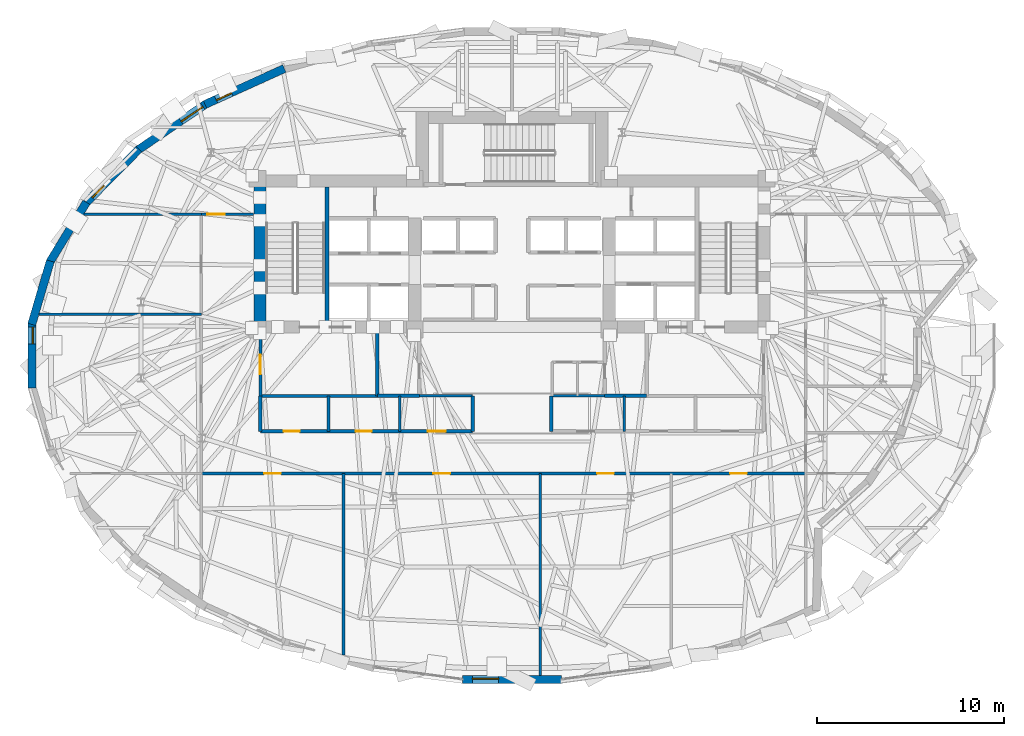
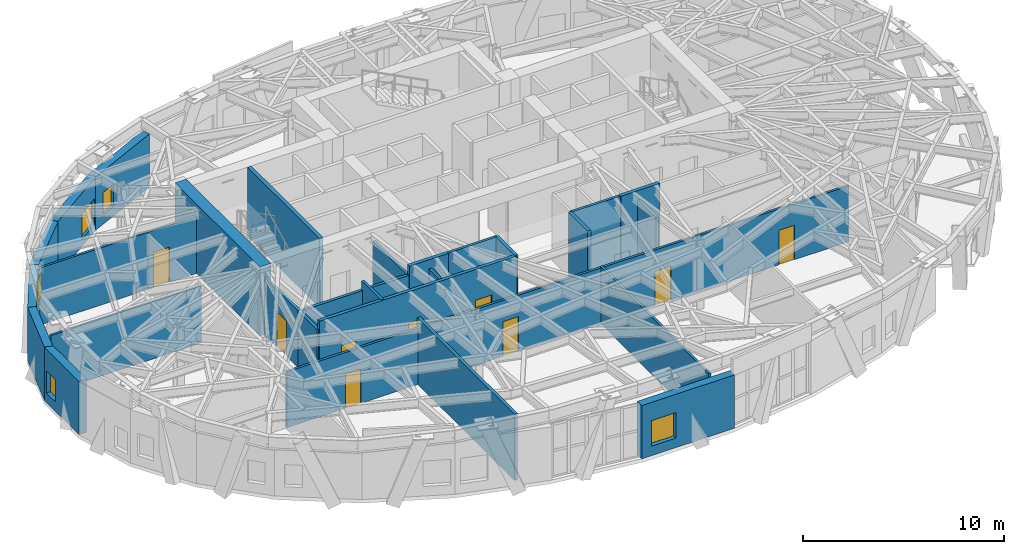
# One storey, part 8 of 16: 29 walls, 9 doors, 5 windows, 14 openings.
"""IFC4 building model written with IfcOpenShell, lengths in metres."""

from ifc_helpers import new_model, si_unit, direction, frame, frame_2d, origin, place, context, subcontext, project, spatial, rectangle, extrude, material, layer, layer_set, type_object, element, fill, save


model = new_model("IFC4")

# Units and contexts
model_context = context("Model", 3, precision=1e-05, world=origin(), true_north=direction((0.0, 1.0)))
body_context = subcontext(model_context, "Body", "Model", "MODEL_VIEW")
ifc_project = project(units=[si_unit("LENGTHUNIT", "METRE"), si_unit("AREAUNIT", "SQUARE_METRE"), si_unit("VOLUMEUNIT", "CUBIC_METRE"), si_unit("PLANEANGLEUNIT", "RADIAN"), si_unit("MASSUNIT", "GRAM", prefix="KILO")], contexts=[model_context])

# Site, building, storey
site_placement = place(None, origin())
site = spatial("IfcSite", under=ifc_project, at=site_placement, CompositionType="ELEMENT")
building_placement = place(site_placement, origin())
building = spatial("IfcBuilding", under=site, at=building_placement, Name="Keldmark Tower", CompositionType="ELEMENT")
storey_placement = place(building_placement, frame((0.0, 0.0, 139.60009765625)))
storey = spatial("IfcBuildingStorey", under=building, at=storey_placement, Name="L37", CompositionType="ELEMENT", Elevation=139.60009765625)

# Wall, openings, doors
ifc_material_1 = material(Name="Acoustic Double-Layer Gypsum Corridor Partition", Category="gypsum")
ifc_layer_1 = layer(ifc_material_1, 0.139892578125)
ifc_layer_set_1 = layer_set([ifc_layer_1], Name="Acoustic Double-Layer Gypsum Corridor Partition")
wall_type_1 = type_object("IfcWallType", Name="Acoustic Corridor Partition 140 mm", PredefinedType="PARTITIONING", material=ifc_layer_set_1)
wall_1_placement = place(storey_placement, frame((-16.60009765625, -6.300048828125, 0.0), z_axis=(0.0, 0.0, 1.0), x_axis=(1.0, 0.0, 0.0)))
wall_1 = element("IfcWall", 1, at=wall_1_placement, inside=storey, type_object=wall_type_1, Name="L37 Acoustic Corridor Partition 140 mm COR-S", PredefinedType="PARTITIONING", context=body_context, shape_type="SweptSolid", body=[
    extrude(rectangle(XDim=32.300048828125, YDim=0.139892578125, at=frame_2d((16.14990234375, 0.0))), origin(), (0.0, 0.0, 1.0), 3.39794921875),
])
opening_1_placement = place(wall_1_placement, frame((3.35009765625, 0.0, 0.0)))
opening_1 = element("IfcOpeningElement", 2, at=opening_1_placement, cuts=wall_1, Name="Opening D-IN090", PredefinedType="OPENING", context=body_context, shape_type="SweptSolid", body=[
    extrude(rectangle(XDim=0.89990234375, YDim=2.10009765625, at=frame_2d((0.449951171875, 1.050048828125))), frame((0.0, 0.079833984375, 0.0), z_axis=(0.0, -1.0, 0.0), x_axis=(1.0, 0.0, 0.0)), (0.0, 0.0, 1.0), 0.159912109375),
])
opening_2_placement = place(wall_1_placement, frame((12.39990234375, 0.0, 0.0)))
opening_2 = element("IfcOpeningElement", 3, at=opening_2_placement, cuts=wall_1, Name="Opening D-IN090", PredefinedType="OPENING", context=body_context, shape_type="SweptSolid", body=[
    extrude(rectangle(XDim=0.89990234375, YDim=2.10009765625, at=frame_2d((0.449951171875, 1.050048828125))), frame((0.0, 0.079833984375, 0.0), z_axis=(0.0, -1.0, 0.0), x_axis=(1.0, 0.0, 0.0)), (0.0, 0.0, 1.0), 0.159912109375),
])
opening_3_placement = place(wall_1_placement, frame((21.14990234375, 0.0, 0.0)))
opening_3 = element("IfcOpeningElement", 4, at=opening_3_placement, cuts=wall_1, Name="Opening D-IN090", PredefinedType="OPENING", context=body_context, shape_type="SweptSolid", body=[
    extrude(rectangle(XDim=0.89990234375, YDim=2.10009765625, at=frame_2d((0.449951171875, 1.050048828125))), frame((0.0, 0.079833984375, 0.0), z_axis=(0.0, -1.0, 0.0), x_axis=(1.0, 0.0, 0.0)), (0.0, 0.0, 1.0), 0.159912109375),
])
opening_4_placement = place(wall_1_placement, frame((28.25, 0.0, 0.0)))
opening_4 = element("IfcOpeningElement", 5, at=opening_4_placement, cuts=wall_1, Name="Opening D-IN090", PredefinedType="OPENING", context=body_context, shape_type="SweptSolid", body=[
    extrude(rectangle(XDim=0.89990234375, YDim=2.10009765625, at=frame_2d((0.449951171875, 1.050048828125))), frame((0.0, 0.079833984375, 0.0), z_axis=(0.0, -1.0, 0.0), x_axis=(1.0, 0.0, 0.0)), (0.0, 0.0, 1.0), 0.159912109375),
])
ifc_material_2 = material(Name="Stained American White Oak Veneer", Category="wood")
door_type_1 = type_object("IfcDoorType", Name="Interior Door 900x2100", OperationType="NOTDEFINED", PredefinedType="DOOR", material=ifc_material_2)
door_1_placement = place(opening_1_placement, origin())
door_1 = element("IfcDoor", 6, at=door_1_placement, inside=storey, type_object=door_type_1, Name="L37 Interior Door 900x2100 D-SR-1-L37", OperationType="SINGLE_SWING_LEFT", OverallHeight=2.10009765625, OverallWidth=0.89990234375, PredefinedType="DOOR", context=body_context, shape_type="SweptSolid", body=[
    extrude(rectangle(XDim=0.89990234375, YDim=2.10009765625, at=frame_2d((0.449951171875, 1.050048828125))), frame((0.0, 0.02490234375, 0.0), z_axis=(0.0, -1.0, 0.0), x_axis=(1.0, 0.0, 0.0)), (0.0, 0.0, 1.0), 0.050048828125),
])
fill(opening_1, door_1)
door_2_placement = place(opening_2_placement, origin())
door_2 = element("IfcDoor", 7, at=door_2_placement, inside=storey, type_object=door_type_1, Name="L37 Interior Door 900x2100 D-SR-2-L37", OperationType="SINGLE_SWING_RIGHT", OverallHeight=2.10009765625, OverallWidth=0.89990234375, PredefinedType="DOOR", context=body_context, shape_type="SweptSolid", body=[
    extrude(rectangle(XDim=0.89990234375, YDim=2.10009765625, at=frame_2d((0.449951171875, 1.050048828125))), frame((0.0, 0.02490234375, 0.0), z_axis=(0.0, -1.0, 0.0), x_axis=(1.0, 0.0, 0.0)), (0.0, 0.0, 1.0), 0.050048828125),
])
fill(opening_2, door_2)
door_3_placement = place(opening_3_placement, origin())
door_3 = element("IfcDoor", 8, at=door_3_placement, inside=storey, type_object=door_type_1, Name="L37 Interior Door 900x2100 D-SR-3-L37", OperationType="SINGLE_SWING_LEFT", OverallHeight=2.10009765625, OverallWidth=0.89990234375, PredefinedType="DOOR", context=body_context, shape_type="SweptSolid", body=[
    extrude(rectangle(XDim=0.89990234375, YDim=2.10009765625, at=frame_2d((0.449951171875, 1.050048828125))), frame((0.0, 0.02490234375, 0.0), z_axis=(0.0, -1.0, 0.0), x_axis=(1.0, 0.0, 0.0)), (0.0, 0.0, 1.0), 0.050048828125),
])
fill(opening_3, door_3)
door_4_placement = place(opening_4_placement, origin())
door_4 = element("IfcDoor", 9, at=door_4_placement, inside=storey, type_object=door_type_1, Name="L37 Interior Door 900x2100 D-SR-4-L37", OperationType="SINGLE_SWING_RIGHT", OverallHeight=2.10009765625, OverallWidth=0.89990234375, PredefinedType="DOOR", context=body_context, shape_type="SweptSolid", body=[
    extrude(rectangle(XDim=0.89990234375, YDim=2.10009765625, at=frame_2d((0.449951171875, 1.050048828125))), frame((0.0, 0.02490234375, 0.0), z_axis=(0.0, -1.0, 0.0), x_axis=(1.0, 0.0, 0.0)), (0.0, 0.0, 1.0), 0.050048828125),
])
fill(opening_4, door_4)

# Wall, opening, door
wall_2_placement = place(storey_placement, frame((-16.60009765625, 7.550048828125, 0.0), z_axis=(0.0, 0.0, 1.0), x_axis=(1.0, 0.0, 0.0)))
wall_2 = element("IfcWall", 10, at=wall_2_placement, inside=storey, type_object=wall_type_1, Name="L37 Acoustic Corridor Partition 140 mm COR-WN-CAP", PredefinedType="PARTITIONING", context=body_context, shape_type="SweptSolid", body=[
    extrude(rectangle(XDim=2.800048828125, YDim=0.139892578125, at=frame_2d((1.39990234375, 0.0))), origin(), (0.0, 0.0, 1.0), 3.472900390625),
])
opening_5_placement = place(wall_2_placement, frame((0.320068359375, 0.0, 0.0)))
opening_5 = element("IfcOpeningElement", 11, at=opening_5_placement, cuts=wall_2, Name="Opening D-EX092", PredefinedType="OPENING", context=body_context, shape_type="SweptSolid", body=[
    extrude(rectangle(XDim=0.919921875, YDim=2.14990234375, at=frame_2d((0.4599609375, 1.074951171875))), frame((0.0, 0.079833984375, 0.0), z_axis=(0.0, -1.0, 0.0), x_axis=(1.0, 0.0, 0.0)), (0.0, 0.0, 1.0), 0.159912109375),
])
ifc_material_3 = material(Name="Flush American Ash Executive Office Door", Category="wood")
door_type_2 = type_object("IfcDoorType", Name="Executive Office Door 920x2150", OperationType="NOTDEFINED", PredefinedType="DOOR", material=ifc_material_3)
door_5_placement = place(opening_5_placement, origin())
door_5 = element("IfcDoor", 12, at=door_5_placement, inside=storey, type_object=door_type_2, Name="L37 Executive Office Door 920x2150 D-NRNW-L37", OperationType="SINGLE_SWING_LEFT", OverallHeight=2.14990234375, OverallWidth=0.919921875, PredefinedType="DOOR", context=body_context, shape_type="SweptSolid", body=[
    extrude(rectangle(XDim=0.919921875, YDim=2.14990234375, at=frame_2d((0.4599609375, 1.074951171875))), frame((0.0, 0.02490234375, 0.0), z_axis=(0.0, -1.0, 0.0), x_axis=(1.0, 0.0, 0.0)), (0.0, 0.0, 1.0), 0.050048828125),
])
fill(opening_5, door_5)

# Wall
ifc_material_4 = material(Name="STC-58 Insulated Tenant Demising Gypsum Partition", Category="gypsum")
ifc_layer_2 = layer(ifc_material_4, 0.175048828125)
ifc_layer_set_2 = layer_set([ifc_layer_2], Name="STC-58 Insulated Tenant Demising Gypsum Partition")
wall_type_2 = type_object("IfcWallType", Name="Demising Suite Partition 175 mm", PredefinedType="PARTITIONING", material=ifc_layer_set_2)
wall_3_placement = place(storey_placement, frame((-9.0, -15.98828125, 0.0), z_axis=(0.0, 0.0, 1.0), x_axis=(0.0, 1.0, 0.0)))
element("IfcWall", 13, at=wall_3_placement, inside=storey, type_object=wall_type_2, Name="L37 Demising Suite Partition 175 mm S-DIV-1", PredefinedType="PARTITIONING", context=body_context, shape_type="SweptSolid", body=[
    extrude(rectangle(XDim=9.688232421875, YDim=0.175048828125, at=frame_2d((4.84423828125, 0.0))), origin(), (0.0, 0.0, 1.0), 4.02001953125),
])

# Wall, openings, doors
ifc_material_5 = material(Name="Heavy Acoustic Plumbing Chase Gypsum Assembly", Category="gypsum")
ifc_layer_3 = layer(ifc_material_5, 0.18994140625)
ifc_layer_set_3 = layer_set([ifc_layer_3], Name="Heavy Acoustic Plumbing Chase Gypsum Assembly")
wall_type_3 = type_object("IfcWallType", Name="Heavy Wet Wall 190 mm", PredefinedType="PLUMBINGWALL", material=ifc_layer_set_3)
wall_4_placement = place(storey_placement, frame((-13.449951171875, -4.050048828125, 0.0), z_axis=(0.0, 0.0, 1.0), x_axis=(1.0, 0.0, 0.0)))
wall_4 = element("IfcWall", 14, at=wall_4_placement, inside=storey, type_object=wall_type_3, Name="L37 Heavy Wet Wall 190 mm SPK-W-S", PredefinedType="PLUMBINGWALL", context=body_context, shape_type="SweptSolid", body=[
    extrude(rectangle(XDim=11.349853515625, YDim=0.18994140625, at=frame_2d((5.6748046875, 0.0))), origin(), (0.0, 0.0, 1.0), 4.02001953125),
])
opening_6_placement = place(wall_4_placement, frame((1.25, 0.0, 0.0)))
opening_6 = element("IfcOpeningElement", 15, at=opening_6_placement, cuts=wall_4, Name="Opening D-WC085", PredefinedType="OPENING", context=body_context, shape_type="SweptSolid", body=[
    extrude(rectangle(XDim=0.85009765625, YDim=2.10009765625, at=frame_2d((0.425048828125, 1.050048828125))), frame((0.0, 0.10498046875, 0.0), z_axis=(0.0, -1.0, 0.0), x_axis=(1.0, 0.0, 0.0)), (0.0, 0.0, 1.0), 0.2099609375),
])
opening_7_placement = place(wall_4_placement, frame((5.10009765625, 0.0, 0.0)))
opening_7 = element("IfcOpeningElement", 16, at=opening_7_placement, cuts=wall_4, Name="Opening D-WC085", PredefinedType="OPENING", context=body_context, shape_type="SweptSolid", body=[
    extrude(rectangle(XDim=0.85009765625, YDim=2.10009765625, at=frame_2d((0.425048828125, 1.050048828125))), frame((0.0, 0.10498046875, 0.0), z_axis=(0.0, -1.0, 0.0), x_axis=(1.0, 0.0, 0.0)), (0.0, 0.0, 1.0), 0.2099609375),
])
opening_8_placement = place(wall_4_placement, frame((8.949951171875, 0.0, 0.0)))
opening_8 = element("IfcOpeningElement", 17, at=opening_8_placement, cuts=wall_4, Name="Opening D-AWC95", PredefinedType="OPENING", context=body_context, shape_type="SweptSolid", body=[
    extrude(rectangle(XDim=0.949951171875, YDim=2.14990234375, at=frame_2d((0.47509765625, 1.074951171875))), frame((0.0, 0.10498046875, 0.0), z_axis=(0.0, -1.0, 0.0), x_axis=(1.0, 0.0, 0.0)), (0.0, 0.0, 1.0), 0.2099609375),
])
ifc_material_6 = material(Name="Painted Solid-Core Architectural Wood", Category="wood")
door_type_3 = type_object("IfcDoorType", Name="Accessible WC Door 950x2150", OperationType="NOTDEFINED", PredefinedType="DOOR", material=ifc_material_6)
door_6_placement = place(opening_8_placement, origin())
door_6 = element("IfcDoor", 18, at=door_6_placement, inside=storey, type_object=door_type_3, Name="L37 Accessible WC Door 950x2150 D-SPKW3-L37", OperationType="SINGLE_SWING_LEFT", OverallHeight=2.14990234375, OverallWidth=0.949951171875, PredefinedType="DOOR", context=body_context, shape_type="SweptSolid", body=[
    extrude(rectangle(XDim=0.949951171875, YDim=2.14990234375, at=frame_2d((0.47509765625, 1.074951171875))), frame((0.0, 0.02490234375, 0.0), z_axis=(0.0, -1.0, 0.0), x_axis=(1.0, 0.0, 0.0)), (0.0, 0.0, 1.0), 0.050048828125),
])
fill(opening_8, door_6)
ifc_material_7 = material(Name="Moisture-Sealed Painted Wood", Category="wood")
door_type_4 = type_object("IfcDoorType", Name="WC Door 850x2100", OperationType="NOTDEFINED", PredefinedType="DOOR", material=ifc_material_7)
door_7_placement = place(opening_6_placement, origin())
door_7 = element("IfcDoor", 19, at=door_7_placement, inside=storey, type_object=door_type_4, Name="L37 WC Door 850x2100 D-SPKW1-L37", OperationType="SINGLE_SWING_LEFT", OverallHeight=2.10009765625, OverallWidth=0.85009765625, PredefinedType="DOOR", context=body_context, shape_type="SweptSolid", body=[
    extrude(rectangle(XDim=0.85009765625, YDim=2.10009765625, at=frame_2d((0.425048828125, 1.050048828125))), frame((0.0, 0.02490234375, 0.0), z_axis=(0.0, -1.0, 0.0), x_axis=(1.0, 0.0, 0.0)), (0.0, 0.0, 1.0), 0.050048828125),
])
fill(opening_6, door_7)
door_8_placement = place(opening_7_placement, origin())
door_8 = element("IfcDoor", 20, at=door_8_placement, inside=storey, type_object=door_type_4, Name="L37 WC Door 850x2100 D-SPKW2-L37", OperationType="SINGLE_SWING_RIGHT", OverallHeight=2.10009765625, OverallWidth=0.85009765625, PredefinedType="DOOR", context=body_context, shape_type="SweptSolid", body=[
    extrude(rectangle(XDim=0.85009765625, YDim=2.10009765625, at=frame_2d((0.425048828125, 1.050048828125))), frame((0.0, 0.02490234375, 0.0), z_axis=(0.0, -1.0, 0.0), x_axis=(1.0, 0.0, 0.0)), (0.0, 0.0, 1.0), 0.050048828125),
])
fill(opening_7, door_8)

# Walls
wall_5_placement = place(storey_placement, frame((-13.449951171875, -4.050048828125, 0.0), z_axis=(0.0, 0.0, 1.0), x_axis=(0.0, 1.0, 0.0)))
element("IfcWall", 21, at=wall_5_placement, inside=storey, type_object=wall_type_3, Name="L37 Heavy Wet Wall 190 mm SPK-W-W", PredefinedType="PLUMBINGWALL", context=body_context, shape_type="SweptSolid", body=[
    extrude(rectangle(XDim=1.900146484375, YDim=0.18994140625, at=frame_2d((0.9501953125, 0.0))), origin(), (0.0, 0.0, 1.0), 3.472900390625),
])
for number, where, z_axis, x_axis, name in (
    (22, (-2.10009765625, -4.050048828125, 0.0), (0.0, 0.0, 1.0), (0.0, 1.0, 0.0), "L37 Heavy Wet Wall 190 mm SPK-W-E"),
    (23, (2.10009765625, -4.050048828125, 0.0), (0.0, 0.0, 1.0), (0.0, 1.0, 0.0), "L37 Heavy Wet Wall 190 mm SPK-E-W"),
):
    element("IfcWall", number, at=place(storey_placement, frame(where, z_axis=z_axis, x_axis=x_axis)), inside=storey, type_object=wall_type_3, Name=name, PredefinedType="PLUMBINGWALL", context=body_context, shape_type="SweptSolid", body=[
        extrude(rectangle(XDim=1.900146484375, YDim=0.18994140625, at=frame_2d((0.9501953125, 0.0))), origin(), (0.0, 0.0, 1.0), 4.02001953125),
    ])
ifc_material_8 = material(Name="Acoustic Gypsum Board Interior Partition", Category="gypsum")
ifc_layer_4 = layer(ifc_material_8, 0.1298828125)
ifc_layer_set_4 = layer_set([ifc_layer_4], Name="Acoustic Gypsum Board Interior Partition")
wall_type_4 = type_object("IfcWallType", Name="Interior Partition 130 mm", PredefinedType="PARTITIONING", material=ifc_layer_set_4)
wall_6_placement = place(storey_placement, frame((1.5, -17.087158203125, 0.0), z_axis=(0.0, 0.0, 1.0), x_axis=(0.0, 1.0, 0.0)))
element("IfcWall", 24, at=wall_6_placement, inside=storey, type_object=wall_type_4, Name="L37 Interior Partition 130 mm S-DIV-2", PredefinedType="PARTITIONING", context=body_context, shape_type="SweptSolid", body=[
    extrude(rectangle(XDim=10.787109375, YDim=0.1298828125, at=frame_2d((5.3935546875, 0.0))), origin(), (0.0, 0.0, 1.0), 3.472900390625),
])
wall_7_placement = place(storey_placement, frame((-22.866943359375, 7.550048828125, 0.0), z_axis=(0.0, 0.0, 1.0), x_axis=(1.0, 0.0, 0.0)))
element("IfcWall", 25, at=wall_7_placement, inside=storey, type_object=wall_type_4, Name="L37 Interior Partition 130 mm W-CAP-N", PredefinedType="PARTITIONING", context=body_context, shape_type="SweptSolid", body=[
    extrude(rectangle(XDim=6.266845703125, YDim=0.1298828125, at=frame_2d((3.13330078125, 0.0))), origin(), (0.0, 0.0, 1.0), 3.472900390625),
])
wall_8_placement = place(storey_placement, frame((-25.26904296875, 2.199951171875, 0.0), z_axis=(0.0, 0.0, 1.0), x_axis=(1.0, 0.0, 0.0)))
element("IfcWall", 26, at=wall_8_placement, inside=storey, type_object=wall_type_4, Name="L37 Interior Partition 130 mm W-DIV-1", PredefinedType="PARTITIONING", context=body_context, shape_type="SweptSolid", body=[
    extrude(rectangle(XDim=8.6689453125, YDim=0.1298828125, at=frame_2d((4.33447265625, 0.0))), origin(), (0.0, 0.0, 1.0), 3.472900390625),
])
ifc_material_9 = material(Name="Type X Fire-Rated Gypsum Partition Assembly", Category="gypsum")
ifc_layer_5 = layer(ifc_material_9, 0.1650390625)
ifc_layer_set_5 = layer_set([ifc_layer_5], Name="Type X Fire-Rated Gypsum Partition Assembly")
wall_type_5 = type_object("IfcWallType", Name="Rated Partition 165 mm", PredefinedType="PARTITIONING", material=ifc_layer_set_5)
wall_9_placement = place(storey_placement, frame((-13.449951171875, -2.14990234375, 0.0), z_axis=(0.0, 0.0, 1.0), x_axis=(1.0, 0.0, 0.0)))
element("IfcWall", 27, at=wall_9_placement, inside=storey, type_object=wall_type_5, Name="L37 Rated Partition 165 mm FSAE-W-S", PredefinedType="PARTITIONING", context=body_context, shape_type="SweptSolid", body=[
    extrude(rectangle(XDim=6.25, YDim=0.1650390625, at=frame_2d((3.125, 0.0))), origin(), (0.0, 0.0, 1.0), 3.472900390625),
])

# Wall, opening, door
wall_10_placement = place(storey_placement, frame((-13.449951171875, -2.14990234375, 0.0), z_axis=(0.0, 0.0, 1.0), x_axis=(0.0, 1.0, 0.0)))
wall_10 = element("IfcWall", 28, at=wall_10_placement, inside=storey, type_object=wall_type_5, Name="L37 Rated Partition 165 mm FSAE-W-W", PredefinedType="PARTITIONING", context=body_context, shape_type="SweptSolid", body=[
    extrude(rectangle(XDim=3.39990234375, YDim=0.1650390625, at=frame_2d((1.699951171875, 0.0))), origin(), (0.0, 0.0, 1.0), 3.472900390625),
])
opening_9_placement = place(wall_10_placement, frame((1.14990234375, 0.0, 0.0)))
opening_9 = element("IfcOpeningElement", 29, at=opening_9_placement, cuts=wall_10, Name="Opening D-FL105", PredefinedType="OPENING", context=body_context, shape_type="SweptSolid", body=[
    extrude(rectangle(XDim=1.050048828125, YDim=2.14990234375, at=frame_2d((0.52490234375, 1.074951171875))), frame((0.0, 0.092529296875, 0.0), z_axis=(0.0, -1.0, 0.0), x_axis=(1.0, 0.0, 0.0)), (0.0, 0.0, 1.0), 0.18505859375),
])
ifc_material_10 = material(Name="Fire-Rated Mineral-Core Door and Vision Lite", Category="metal")
door_type_5 = type_object("IfcDoorType", Name="Fire Lobby Door 1050x2150", OperationType="NOTDEFINED", PredefinedType="DOOR", material=ifc_material_10)
door_9_placement = place(opening_9_placement, origin())
door_9 = element("IfcDoor", 30, at=door_9_placement, inside=storey, type_object=door_type_5, Name="L37 Fire Lobby Door 1050x2150 D-FSAEW-OUT-L37", OperationType="SINGLE_SWING_LEFT", OverallHeight=2.14990234375, OverallWidth=1.050048828125, PredefinedType="DOOR", context=body_context, shape_type="SweptSolid", body=[
    extrude(rectangle(XDim=1.050048828125, YDim=2.14990234375, at=frame_2d((0.52490234375, 1.074951171875))), frame((0.0, 0.02490234375, 0.0), z_axis=(0.0, -1.0, 0.0), x_axis=(1.0, 0.0, 0.0)), (0.0, 0.0, 1.0), 0.050048828125),
])
fill(opening_9, door_9)

# Walls
wall_11_placement = place(storey_placement, frame((-7.199951171875, -2.14990234375, 0.0), z_axis=(0.0, 0.0, 1.0), x_axis=(0.0, 1.0, 0.0)))
element("IfcWall", 31, at=wall_11_placement, inside=storey, type_object=wall_type_5, Name="L37 Rated Partition 165 mm FSAE-W-E", PredefinedType="PARTITIONING", context=body_context, shape_type="SweptSolid", body=[
    extrude(rectangle(XDim=3.39990234375, YDim=0.1650390625, at=frame_2d((1.699951171875, 0.0))), origin(), (0.0, 0.0, 1.0), 3.472900390625),
])
ifc_material_11 = material(Name="Fire-Resistant Type X Gypsum Shaftliner Coreboard", Category="gypsum")
ifc_layer_6 = layer(ifc_material_11, 0.199951171875)
ifc_layer_set_6 = layer_set([ifc_layer_6], Name="Fire-Resistant Type X Gypsum Shaftliner Coreboard")
wall_type_6 = type_object("IfcWallType", Name="Shaft Wall 200 mm", PredefinedType="SOLIDWALL", material=ifc_layer_set_6)
for number, where, z_axis, x_axis, name in (
    (32, (-7.199951171875, -2.14990234375, 0.0), (0.0, 0.0, 1.0), (1.0, 0.0, 0.0), "L37 Shaft Wall 200 mm RIS-SW-S"),
    (33, (4.949951171875, -2.14990234375, 0.0), (0.0, 0.0, 1.0), (1.0, 0.0, 0.0), "L37 Shaft Wall 200 mm RIS-SE-S"),
):
    element("IfcWall", number, at=place(storey_placement, frame(where, z_axis=z_axis, x_axis=x_axis)), inside=storey, type_object=wall_type_6, Name=name, PredefinedType="SOLIDWALL", context=body_context, shape_type="SweptSolid", body=[
        extrude(rectangle(XDim=2.25, YDim=0.199951171875, at=frame_2d((1.125, 0.0))), origin(), (0.0, 0.0, 1.0), 4.02001953125),
    ])
ifc_material_12 = material(Name="Concrete C50/60", Category="concrete")
ifc_layer_7 = layer(ifc_material_12, 0.219970703125)
ifc_layer_set_7 = layer_set([ifc_layer_7], Name="Concrete C50/60")
wall_type_7 = type_object("IfcWallType", Name="Stair Core Shear Wall 220 mm", PredefinedType="SHEAR", material=ifc_layer_set_7)
wall_12_placement = place(storey_placement, frame((-9.889892578125, 1.85009765625, 0.0), z_axis=(0.0, 0.0, 1.0), x_axis=(0.0, 1.0, 0.0)))
element("IfcWall", 34, at=wall_12_placement, inside=storey, type_object=wall_type_7, Name="L37 West Stair Core Shear Wall", PredefinedType="SHEAR", context=body_context, shape_type="SweptSolid", body=[
    extrude(rectangle(XDim=7.14990234375, YDim=0.219970703125, at=frame_2d((3.574951171875, 0.0))), origin(), (0.0, 0.0, 1.0), 4.199951171875),
])

# Wall, opening, window
ifc_material_13 = material(Name="Ironspot Manganese Brick and Kasota Buff Limestone Spandrel Assembly", Category="masonry")
ifc_layer_8 = layer(ifc_material_13, 0.43994140625)
ifc_layer_set_8 = layer_set([ifc_layer_8], Name="Ironspot Manganese Brick and Kasota Buff Limestone Spandrel Assembly")
wall_type_8 = type_object("IfcWallType", Name="Tower Brick Pier and Spandrel Wall 440 mm", PredefinedType="STANDARD", material=ifc_layer_set_8)
wall_13_placement = place(storey_placement, frame((-16.4033203125, 13.419921875, 0.0), z_axis=(0.0, 0.0, 1.0), x_axis=(0.910938924115, 0.412541242221, 0.0)))
wall_13 = element("IfcWall", 35, at=wall_13_placement, inside=storey, type_object=wall_type_8, Name="L37 Exterior Brick and Spandrel Wall 11", PredefinedType="STANDARD", context=body_context, shape_type="SweptSolid", body=[
    extrude(rectangle(XDim=4.652099609375, YDim=0.43994140625, at=frame_2d((2.326171875, 0.0))), origin(), (0.0, 0.0, 1.0), 3.23779296875),
])
opening_10_placement = place(wall_13_placement, frame((0.643798828125, 0.0, 0.580078125)))
opening_10 = element("IfcOpeningElement", 36, at=opening_10_placement, cuts=wall_13, Name="Opening W-09", PredefinedType="OPENING", context=body_context, shape_type="SweptSolid", body=[
    extrude(rectangle(XDim=0.89990234375, YDim=1.35009765625, at=frame_2d((0.449951171875, 0.675048828125))), frame((0.0, 0.22998046875, 0.0), z_axis=(0.0, -1.0, 0.0), x_axis=(1.0, 0.0, 0.0)), (0.0, 0.0, 1.0), 0.4599609375),
])
ifc_material_14 = material(Name="Thermally Broken Anodized Aluminum and Triple Low-E Argon Glazing", Category="aluminium")
window_type_1 = type_object("IfcWindowType", Name="Corner Pier Deep-Set Window 900x1350", PartitioningType="SINGLE_PANEL", PredefinedType="WINDOW", material=ifc_material_14)
window_1_placement = place(opening_10_placement, origin())
window_1 = element("IfcWindow", 37, at=window_1_placement, inside=storey, type_object=window_type_1, Name="L37 Deep-Set Window 11", OverallHeight=1.35009765625, OverallWidth=0.89990234375, PartitioningType="SINGLE_PANEL", PredefinedType="WINDOW", context=body_context, shape_type="SweptSolid", body=[
    extrude(rectangle(XDim=0.89990234375, YDim=1.35009765625, at=frame_2d((0.449951171875, 0.675048828125))), frame((0.0, -0.010009765625, 0.0), z_axis=(0.0, -1.0, 0.0), x_axis=(1.0, 0.0, 0.0)), (0.0, 0.0, 1.0), 0.06005859375),
])
fill(opening_10, window_1)

wall_14_placement = place(storey_placement, frame((-19.974853515625, 10.995849609375, 0.0), z_axis=(0.0, 0.0, 1.0), x_axis=(0.827816201219, 0.56099940909, 0.0)))
wall_14 = element("IfcWall", 38, at=wall_14_placement, inside=storey, type_object=wall_type_8, Name="L37 Exterior Brick and Spandrel Wall 12", PredefinedType="STANDARD", context=body_context, shape_type="SweptSolid", body=[
    extrude(rectangle(XDim=4.353515625, YDim=0.43994140625, at=frame_2d((2.1767578125, 0.0))), origin(), (0.0, 0.0, 1.0), 3.241943359375),
])
opening_11_placement = place(wall_14_placement, frame((2.753662109375, 0.0, 0.449951171875)))
opening_11 = element("IfcOpeningElement", 39, at=opening_11_placement, cuts=wall_14, Name="Opening W-08", PredefinedType="OPENING", context=body_context, shape_type="SweptSolid", body=[
    extrude(rectangle(XDim=1.39990234375, YDim=1.550048828125, at=frame_2d((0.699951171875, 0.77490234375))), frame((0.0, 0.22998046875, 0.0), z_axis=(0.0, -1.0, 0.0), x_axis=(1.0, 0.0, 0.0)), (0.0, 0.0, 1.0), 0.4599609375),
])
ifc_material_15 = material(Name="Thermally Broken Anodized Aluminum and Triple Low-E Argon Glazing", Category="aluminium")
window_type_2 = type_object("IfcWindowType", Name="Residential Corner Punched Window 1400x1550", PartitioningType="SINGLE_PANEL", PredefinedType="WINDOW", material=ifc_material_15)
window_2_placement = place(opening_11_placement, origin())
window_2 = element("IfcWindow", 40, at=window_2_placement, inside=storey, type_object=window_type_2, Name="L37 Deep-Set Window 12", OverallHeight=1.550048828125, OverallWidth=1.39990234375, PartitioningType="SINGLE_PANEL", PredefinedType="WINDOW", context=body_context, shape_type="SweptSolid", body=[
    extrude(rectangle(XDim=1.39990234375, YDim=1.550048828125, at=frame_2d((0.699951171875, 0.77490234375))), frame((0.0, -0.010009765625, 0.0), z_axis=(0.0, -1.0, 0.0), x_axis=(1.0, 0.0, 0.0)), (0.0, 0.0, 1.0), 0.06005859375),
])
fill(opening_11, window_2)

wall_15_placement = place(storey_placement, frame((-22.773193359375, 8.151611328125, 0.0), z_axis=(0.0, 0.0, 1.0), x_axis=(0.702094935552, 0.712083352897, 0.0)))
wall_15 = element("IfcWall", 41, at=wall_15_placement, inside=storey, type_object=wall_type_8, Name="L37 Exterior Brick and Spandrel Wall 13", PredefinedType="STANDARD", context=body_context, shape_type="SweptSolid", body=[
    extrude(rectangle(XDim=4.032958984375, YDim=0.43994140625, at=frame_2d((2.0166015625, 0.0))), origin(), (0.0, 0.0, 1.0), 3.23779296875),
])
opening_12_placement = place(wall_15_placement, frame((0.448486328125, 0.0, 0.580078125)))
opening_12 = element("IfcOpeningElement", 42, at=opening_12_placement, cuts=wall_15, Name="Opening W-09", PredefinedType="OPENING", context=body_context, shape_type="SweptSolid", body=[
    extrude(rectangle(XDim=0.89990234375, YDim=1.35009765625, at=frame_2d((0.449951171875, 0.675048828125))), frame((0.0, 0.22998046875, 0.0), z_axis=(0.0, -1.0, 0.0), x_axis=(1.0, 0.0, 0.0)), (0.0, 0.0, 1.0), 0.4599609375),
])
window_3_placement = place(opening_12_placement, origin())
window_3 = element("IfcWindow", 43, at=window_3_placement, inside=storey, type_object=window_type_1, Name="L37 Deep-Set Window 13", OverallHeight=1.35009765625, OverallWidth=0.89990234375, PartitioningType="SINGLE_PANEL", PredefinedType="WINDOW", context=body_context, shape_type="SweptSolid", body=[
    extrude(rectangle(XDim=0.89990234375, YDim=1.35009765625, at=frame_2d((0.449951171875, 0.675048828125))), frame((0.0, -0.010009765625, 0.0), z_axis=(0.0, -1.0, 0.0), x_axis=(1.0, 0.0, 0.0)), (0.0, 0.0, 1.0), 0.06005859375),
])
fill(opening_12, window_3)

# Walls
wall_16_placement = place(storey_placement, frame((-24.692626953125, 5.0, 0.0), z_axis=(0.0, 0.0, 1.0), x_axis=(0.521476412293, 0.853265698022, 0.0)))
element("IfcWall", 44, at=wall_16_placement, inside=storey, type_object=wall_type_8, Name="L37 Exterior Brick and Spandrel Wall 14", PredefinedType="STANDARD", context=body_context, shape_type="SweptSolid", body=[
    extrude(rectangle(XDim=3.740234375, YDim=0.43994140625, at=frame_2d((1.8701171875, 0.0))), origin(), (0.0, 0.0, 1.0), 3.23779296875),
])
wall_17_placement = place(storey_placement, frame((-25.663818359375, 1.6650390625, 0.0), z_axis=(0.0, 0.0, 1.0), x_axis=(0.28170956188, 0.959499725245, 0.0)))
element("IfcWall", 45, at=wall_17_placement, inside=storey, type_object=wall_type_8, Name="L37 Exterior Brick and Spandrel Wall 15", PredefinedType="STANDARD", context=body_context, shape_type="SweptSolid", body=[
    extrude(rectangle(XDim=3.53076171875, YDim=0.43994140625, at=frame_2d((1.765380859375, 0.0))), origin(), (0.0, 0.0, 1.0), 3.241943359375),
])

# Wall, opening, window
wall_18_placement = place(storey_placement, frame((-25.65478515625, -1.72705078125, 0.0), z_axis=(0.0, 0.0, 1.0), x_axis=(0.0, 1.0, 0.0)))
wall_18 = element("IfcWall", 46, at=wall_18_placement, inside=storey, type_object=wall_type_8, Name="L37 Exterior Brick and Spandrel Wall 16", PredefinedType="STANDARD", context=body_context, shape_type="SweptSolid", body=[
    extrude(rectangle(XDim=3.4541015625, YDim=0.43994140625, at=frame_2d((1.72705078125, 0.0))), origin(), (0.0, 0.0, 1.0), 3.241943359375),
])
opening_13_placement = place(wall_18_placement, frame((2.354248046875, 0.0, 0.580078125)))
opening_13 = element("IfcOpeningElement", 47, at=opening_13_placement, cuts=wall_18, Name="Opening W-09", PredefinedType="OPENING", context=body_context, shape_type="SweptSolid", body=[
    extrude(rectangle(XDim=0.89990234375, YDim=1.35009765625, at=frame_2d((0.449951171875, 0.675048828125))), frame((0.0, 0.22998046875, 0.0), z_axis=(0.0, -1.0, 0.0), x_axis=(1.0, 0.0, 0.0)), (0.0, 0.0, 1.0), 0.4599609375),
])
window_4_placement = place(opening_13_placement, origin())
window_4 = element("IfcWindow", 48, at=window_4_placement, inside=storey, type_object=window_type_1, Name="L37 Deep-Set Window 16", OverallHeight=1.35009765625, OverallWidth=0.89990234375, PartitioningType="SINGLE_PANEL", PredefinedType="WINDOW", context=body_context, shape_type="SweptSolid", body=[
    extrude(rectangle(XDim=0.89990234375, YDim=1.35009765625, at=frame_2d((0.449951171875, 0.675048828125))), frame((0.0, -0.010009765625, 0.0), z_axis=(0.0, -1.0, 0.0), x_axis=(1.0, 0.0, 0.0)), (0.0, 0.0, 1.0), 0.06005859375),
])
fill(opening_13, window_4)

wall_19_placement = place(storey_placement, frame((2.658447265625, -17.315185546875, 0.0), z_axis=(0.0, 0.0, 1.0), x_axis=(-1.0, 0.0, 0.0)))
wall_19 = element("IfcWall", 49, at=wall_19_placement, inside=storey, type_object=wall_type_8, Name="L37 Exterior Brick and Spandrel Wall 24", PredefinedType="STANDARD", context=body_context, shape_type="SweptSolid", body=[
    extrude(rectangle(XDim=5.31689453125, YDim=0.43994140625, at=frame_2d((2.658447265625, 0.0))), origin(), (0.0, 0.0, 1.0), 3.241943359375),
])
opening_14_placement = place(wall_19_placement, frame((3.3701171875, 0.0, 0.580078125)))
opening_14 = element("IfcOpeningElement", 50, at=opening_14_placement, cuts=wall_19, Name="Opening W-08", PredefinedType="OPENING", context=body_context, shape_type="SweptSolid", body=[
    extrude(rectangle(XDim=1.39990234375, YDim=1.550048828125, at=frame_2d((0.699951171875, 0.77490234375))), frame((0.0, 0.22998046875, 0.0), z_axis=(0.0, -1.0, 0.0), x_axis=(1.0, 0.0, 0.0)), (0.0, 0.0, 1.0), 0.4599609375),
])
window_5_placement = place(opening_14_placement, origin())
window_5 = element("IfcWindow", 51, at=window_5_placement, inside=storey, type_object=window_type_2, Name="L37 Deep-Set Window 24", OverallHeight=1.550048828125, OverallWidth=1.39990234375, PartitioningType="SINGLE_PANEL", PredefinedType="WINDOW", context=body_context, shape_type="SweptSolid", body=[
    extrude(rectangle(XDim=1.39990234375, YDim=1.550048828125, at=frame_2d((0.699951171875, 0.77490234375))), frame((0.0, -0.010009765625, 0.0), z_axis=(0.0, -1.0, 0.0), x_axis=(1.0, 0.0, 0.0)), (0.0, 0.0, 1.0), 0.06005859375),
])
fill(opening_14, window_5)

# Walls
ifc_material_16 = material(Name="Concrete C50/60", Category="concrete")
ifc_layer_9 = layer(ifc_material_16, 0.64990234375)
ifc_layer_set_9 = layer_set([ifc_layer_9], Name="Concrete C50/60")
wall_type_9 = type_object("IfcWallType", Name="Upper-Mid Core Shear Wall 650 mm", PredefinedType="SHEAR", material=ifc_layer_set_9)
wall_20_placement = place(storey_placement, frame((-13.47509765625, 1.199951171875, 0.0), z_axis=(0.0, 0.0, 1.0), x_axis=(0.0, 1.0, 0.0)))
element("IfcWall", 52, at=wall_20_placement, inside=storey, type_object=wall_type_9, Name="L37 West Core Outer Shear Wall", PredefinedType="SHEAR", context=body_context, shape_type="SweptSolid", body=[
    extrude(rectangle(XDim=8.449951171875, YDim=0.64990234375, at=frame_2d((4.22509765625, 0.0))), origin(), (0.0, 0.0, 1.0), 4.199951171875),
])
ifc_material_17 = material(Name="Moisture-Resistant Gypsum Plumbing Partition", Category="gypsum")
ifc_layer_10 = layer(ifc_material_17, 0.14990234375)
ifc_layer_set_10 = layer_set([ifc_layer_10], Name="Moisture-Resistant Gypsum Plumbing Partition")
wall_type_10 = type_object("IfcWallType", Name="Wet Wall 150 mm", PredefinedType="PLUMBINGWALL", material=ifc_layer_set_10)
wall_21_placement = place(storey_placement, frame((-4.949951171875, -2.14990234375, 0.0), z_axis=(0.0, 0.0, 1.0), x_axis=(1.0, 0.0, 0.0)))
element("IfcWall", 53, at=wall_21_placement, inside=storey, type_object=wall_type_10, Name="L37 Wet Wall 150 mm SPK-W-N", PredefinedType="PLUMBINGWALL", context=body_context, shape_type="SweptSolid", body=[
    extrude(rectangle(XDim=2.849853515625, YDim=0.14990234375, at=frame_2d((1.4248046875, 0.0))), origin(), (0.0, 0.0, 1.0), 4.02001953125),
])
wall_22_placement = place(storey_placement, frame((-9.800048828125, -4.050048828125, 0.0), z_axis=(0.0, 0.0, 1.0), x_axis=(0.0, 1.0, 0.0)))
element("IfcWall", 54, at=wall_22_placement, inside=storey, type_object=wall_type_10, Name="L37 Wet Wall 150 mm SPK-W-D1", PredefinedType="PLUMBINGWALL", context=body_context, shape_type="SweptSolid", body=[
    extrude(rectangle(XDim=1.900146484375, YDim=0.14990234375, at=frame_2d((0.9501953125, 0.0))), origin(), (0.0, 0.0, 1.0), 4.02001953125),
])
wall_23_placement = place(storey_placement, frame((-6.0, -4.050048828125, 0.0), z_axis=(0.0, 0.0, 1.0), x_axis=(0.0, 1.0, 0.0)))
element("IfcWall", 55, at=wall_23_placement, inside=storey, type_object=wall_type_10, Name="L37 Wet Wall 150 mm SPK-W-D2", PredefinedType="PLUMBINGWALL", context=body_context, shape_type="SweptSolid", body=[
    extrude(rectangle(XDim=1.900146484375, YDim=0.14990234375, at=frame_2d((0.9501953125, 0.0))), origin(), (0.0, 0.0, 1.0), 3.472900390625),
])
wall_24_placement = place(storey_placement, frame((2.10009765625, -2.14990234375, 0.0), z_axis=(0.0, 0.0, 1.0), x_axis=(1.0, 0.0, 0.0)))
element("IfcWall", 56, at=wall_24_placement, inside=storey, type_object=wall_type_10, Name="L37 Wet Wall 150 mm SPK-E-N", PredefinedType="PLUMBINGWALL", context=body_context, shape_type="SweptSolid", body=[
    extrude(rectangle(XDim=2.849853515625, YDim=0.14990234375, at=frame_2d((1.4248046875, 0.0))), origin(), (0.0, 0.0, 1.0), 4.02001953125),
])
wall_25_placement = place(storey_placement, frame((6.0, -4.050048828125, 0.0), z_axis=(0.0, 0.0, 1.0), x_axis=(0.0, 1.0, 0.0)))
element("IfcWall", 57, at=wall_25_placement, inside=storey, type_object=wall_type_10, Name="L37 Wet Wall 150 mm SPK-E-D1", PredefinedType="PLUMBINGWALL", context=body_context, shape_type="SweptSolid", body=[
    extrude(rectangle(XDim=1.900146484375, YDim=0.14990234375, at=frame_2d((0.9501953125, 0.0))), origin(), (0.0, 0.0, 1.0), 3.472900390625),
])

save(model, "model.ifc")
